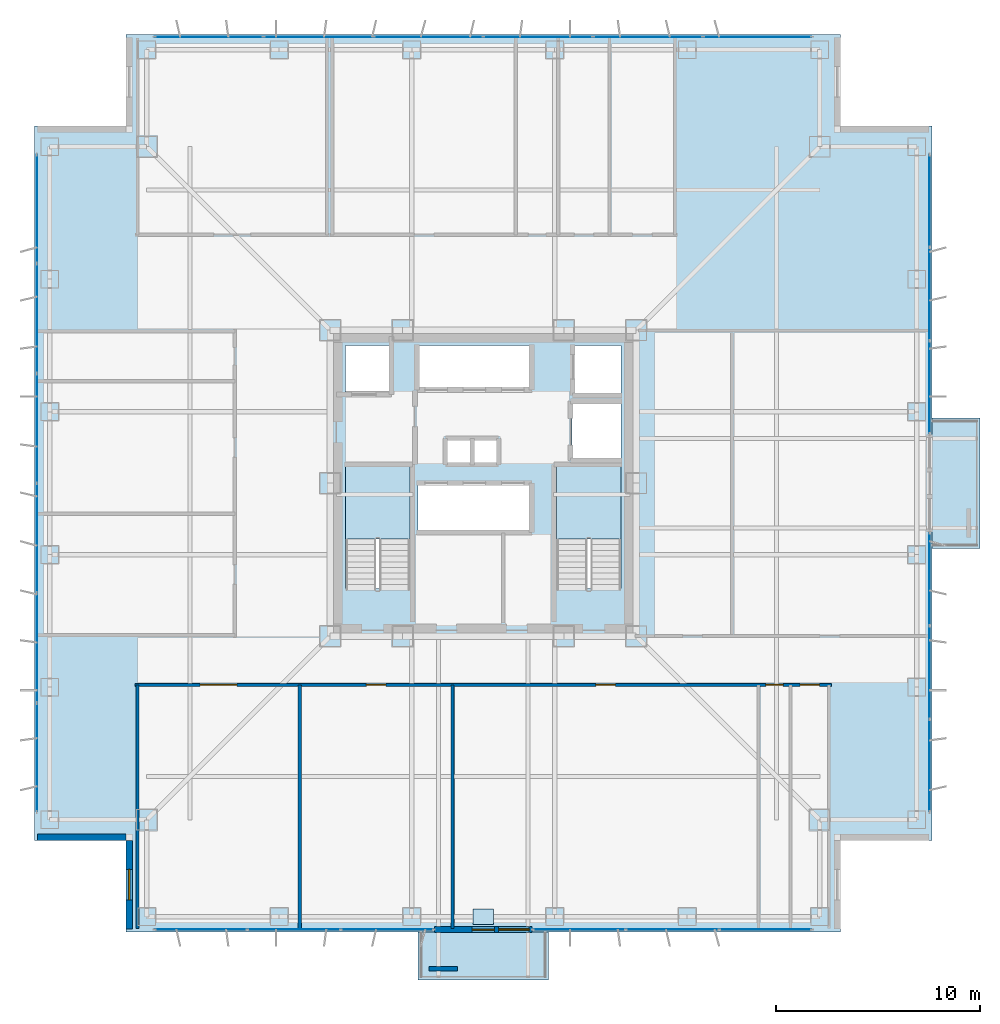
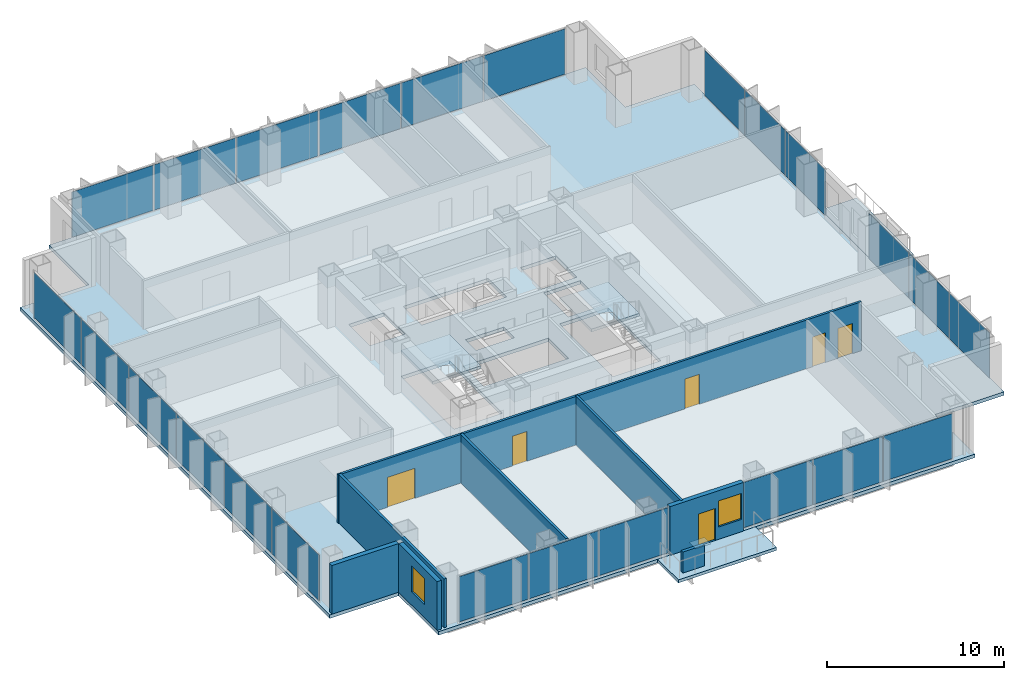
# One storey, part 12 of 18: 25 plates, 8 walls, 6 doors, 5 slabs, 2 windows, 8 openings, 8 elements without a shape of their own.
"""IFC4 building model written with IfcOpenShell, lengths in metres."""

from ifc_helpers import new_model, si_unit, direction, frame, frame_2d, origin, origin_2d, place, context, subcontext, project, spatial, polyline, rectangle, outline, extrude, material, layer, layer_set, type_object, element, fill, aggregate, save


model = new_model("IFC4")

# Units and contexts
model_context = context("Model", 3, precision=1e-05, world=origin(), true_north=direction((0.0, 1.0)))
body_context = subcontext(model_context, "Body", "Model", "MODEL_VIEW")
ifc_project = project(units=[si_unit("LENGTHUNIT", "METRE"), si_unit("AREAUNIT", "SQUARE_METRE"), si_unit("VOLUMEUNIT", "CUBIC_METRE"), si_unit("PLANEANGLEUNIT", "RADIAN"), si_unit("MASSUNIT", "GRAM", prefix="KILO")], contexts=[model_context])

# Site, building, storey
site_placement = place(None, origin())
site = spatial("IfcSite", under=ifc_project, at=site_placement, CompositionType="ELEMENT")
building_placement = place(site_placement, origin())
building = spatial("IfcBuilding", under=site, at=building_placement, Name="Trevonay Congress Spire", CompositionType="ELEMENT")
storey_placement = place(building_placement, frame((0.0, 0.0, 104.800048828125)))
storey = spatial("IfcBuildingStorey", under=building, at=storey_placement, Name="L26", CompositionType="ELEMENT", Elevation=104.800048828125)

# Curtain wall, plates
ifc_material_1 = material(Name="Pale Anodised Aluminium EN AW-6063-T6", Category="aluminium")
ifc_layer_1 = layer(ifc_material_1, 0.175048828125, Name="Pale Anodised Aluminium EN AW-6063-T6")
ifc_layer_set_1 = layer_set([ifc_layer_1], Name="Pale Anodised Aluminium EN AW-6063-T6")
curtain_wall_type = type_object("IfcCurtainWallType", Name="CW-SYS03-CONGRESS-PALE-METAL", PredefinedType="NOTDEFINED", material=ifc_layer_set_1)
curtain_wall_1_placement = place(storey_placement, origin())
curtain_wall_1 = element("IfcCurtainWall", 1, at=curtain_wall_1_placement, inside=storey, type_object=curtain_wall_type, Name="L26 SA unitised curtain wall", PredefinedType="NOTDEFINED")
ifc_material_2 = material(Name="Insulated Low-E Vision Glass IGU", Category="glass")
ifc_layer_2 = layer(ifc_material_2, 0.035888671875, Name="Insulated Low-E Vision Glass IGU")
ifc_layer_set_2 = layer_set([ifc_layer_2], Name="Insulated Low-E Vision Glass IGU")
plate_type_1 = type_object("IfcPlateType", Name="CW-PANEL-IGU36-SILVER", PredefinedType="CURTAIN_PANEL", material=ifc_layer_set_2)
plate_1_placement = place(storey_placement, frame((-13.84326171875, -21.8798828125, 0.119873046875), z_axis=(0.0, 0.0, 1.0), x_axis=(1.0, 0.0, 0.0)))
plate_1 = element("IfcPlate", 2, at=plate_1_placement, type_object=plate_type_1, Name="CW03 panel 1.1", PredefinedType="CURTAIN_PANEL", context=body_context, shape_type="SweptSolid", body=[
    extrude(rectangle(XDim=4.493408203125, YDim=0.035888671875, at=origin_2d()), origin(), (0.0, 0.0, 1.0), 3.1201171875),
])
plate_2_placement = place(storey_placement, frame((-9.27490234375, -21.8798828125, 0.119873046875), z_axis=(0.0, 0.0, 1.0), x_axis=(1.0, 0.0, 0.0)))
plate_2 = element("IfcPlate", 3, at=plate_2_placement, type_object=plate_type_1, Name="CW03 panel 2.1", PredefinedType="CURTAIN_PANEL", context=body_context, shape_type="SweptSolid", body=[
    extrude(rectangle(XDim=4.5234375, YDim=0.035888671875, at=origin_2d()), origin(), (0.0, 0.0, 1.0), 3.1201171875),
])
plate_3_placement = place(storey_placement, frame((-4.706787109375, -21.8798828125, 0.119873046875), z_axis=(0.0, 0.0, 1.0), x_axis=(1.0, 0.0, 0.0)))
plate_3 = element("IfcPlate", 4, at=plate_3_placement, type_object=plate_type_1, Name="CW03 panel 3.1", PredefinedType="CURTAIN_PANEL", context=body_context, shape_type="SweptSolid", body=[
    extrude(rectangle(XDim=4.493408203125, YDim=0.035888671875, at=origin_2d()), origin(), (0.0, 0.0, 1.0), 3.1201171875),
])
aggregate(curtain_wall_1, [plate_1, plate_2, plate_3])

curtain_wall_2_placement = place(storey_placement, origin())
curtain_wall_2 = element("IfcCurtainWall", 5, at=curtain_wall_2_placement, inside=storey, type_object=curtain_wall_type, Name="L26 SB unitised curtain wall", PredefinedType="NOTDEFINED")
plate_4_placement = place(storey_placement, frame((4.706787109375, -21.8798828125, 0.119873046875), z_axis=(0.0, 0.0, 1.0), x_axis=(1.0, 0.0, 0.0)))
plate_4 = element("IfcPlate", 6, at=plate_4_placement, type_object=plate_type_1, Name="CW03 panel 1.1", PredefinedType="CURTAIN_PANEL", context=body_context, shape_type="SweptSolid", body=[
    extrude(rectangle(XDim=4.493408203125, YDim=0.035888671875, at=origin_2d()), origin(), (0.0, 0.0, 1.0), 3.1201171875),
])
plate_5_placement = place(storey_placement, frame((9.27490234375, -21.8798828125, 0.119873046875), z_axis=(0.0, 0.0, 1.0), x_axis=(1.0, 0.0, 0.0)))
plate_5 = element("IfcPlate", 7, at=plate_5_placement, type_object=plate_type_1, Name="CW03 panel 2.1", PredefinedType="CURTAIN_PANEL", context=body_context, shape_type="SweptSolid", body=[
    extrude(rectangle(XDim=4.5234375, YDim=0.035888671875, at=origin_2d()), origin(), (0.0, 0.0, 1.0), 3.1201171875),
])
plate_6_placement = place(storey_placement, frame((13.84326171875, -21.8798828125, 0.119873046875), z_axis=(0.0, 0.0, 1.0), x_axis=(1.0, 0.0, 0.0)))
plate_6 = element("IfcPlate", 8, at=plate_6_placement, type_object=plate_type_1, Name="CW03 panel 3.1", PredefinedType="CURTAIN_PANEL", context=body_context, shape_type="SweptSolid", body=[
    extrude(rectangle(XDim=4.493408203125, YDim=0.035888671875, at=origin_2d()), origin(), (0.0, 0.0, 1.0), 3.1201171875),
])
aggregate(curtain_wall_2, [plate_4, plate_5, plate_6])

curtain_wall_3_placement = place(storey_placement, origin())
curtain_wall_3 = element("IfcCurtainWall", 9, at=curtain_wall_3_placement, inside=storey, type_object=curtain_wall_type, Name="L26 N unitised curtain wall", PredefinedType="NOTDEFINED")
plate_7_placement = place(storey_placement, frame((-13.443359375, 21.8798828125, 0.119873046875), z_axis=(0.0, 0.0, 1.0), x_axis=(1.0, 0.0, 0.0)))
plate_7 = element("IfcPlate", 10, at=plate_7_placement, type_object=plate_type_1, Name="CW03 panel 1.1", PredefinedType="CURTAIN_PANEL", context=body_context, shape_type="SweptSolid", body=[
    extrude(rectangle(XDim=5.293212890625, YDim=0.035888671875, at=origin_2d()), origin(), (0.0, 0.0, 1.0), 3.1201171875),
])
plate_8_placement = place(storey_placement, frame((-8.074951171875, 21.8798828125, 0.119873046875), z_axis=(0.0, 0.0, 1.0), x_axis=(1.0, 0.0, 0.0)))
plate_8 = element("IfcPlate", 11, at=plate_8_placement, type_object=plate_type_1, Name="CW03 panel 2.1", PredefinedType="CURTAIN_PANEL", context=body_context, shape_type="SweptSolid", body=[
    extrude(rectangle(XDim=5.3232421875, YDim=0.035888671875, at=origin_2d()), origin(), (0.0, 0.0, 1.0), 3.1201171875),
])
plate_9_placement = place(storey_placement, frame((-2.691650390625, 21.8798828125, 0.119873046875), z_axis=(0.0, 0.0, 1.0), x_axis=(1.0, 0.0, 0.0)))
plate_9 = element("IfcPlate", 12, at=plate_9_placement, type_object=plate_type_1, Name="CW03 panel 3.1", PredefinedType="CURTAIN_PANEL", context=body_context, shape_type="SweptSolid", body=[
    extrude(rectangle(XDim=5.3232421875, YDim=0.035888671875, at=origin_2d()), origin(), (0.0, 0.0, 1.0), 3.1201171875),
])
plate_10_placement = place(storey_placement, frame((2.691650390625, 21.8798828125, 0.119873046875), z_axis=(0.0, 0.0, 1.0), x_axis=(1.0, 0.0, 0.0)))
plate_10 = element("IfcPlate", 13, at=plate_10_placement, type_object=plate_type_1, Name="CW03 panel 4.1", PredefinedType="CURTAIN_PANEL", context=body_context, shape_type="SweptSolid", body=[
    extrude(rectangle(XDim=5.3232421875, YDim=0.035888671875, at=origin_2d()), origin(), (0.0, 0.0, 1.0), 3.1201171875),
])
plate_11_placement = place(storey_placement, frame((8.074951171875, 21.8798828125, 0.119873046875), z_axis=(0.0, 0.0, 1.0), x_axis=(1.0, 0.0, 0.0)))
plate_11 = element("IfcPlate", 14, at=plate_11_placement, type_object=plate_type_1, Name="CW03 panel 5.1", PredefinedType="CURTAIN_PANEL", context=body_context, shape_type="SweptSolid", body=[
    extrude(rectangle(XDim=5.3232421875, YDim=0.035888671875, at=origin_2d()), origin(), (0.0, 0.0, 1.0), 3.1201171875),
])
plate_12_placement = place(storey_placement, frame((13.443359375, 21.8798828125, 0.119873046875), z_axis=(0.0, 0.0, 1.0), x_axis=(1.0, 0.0, 0.0)))
plate_12 = element("IfcPlate", 15, at=plate_12_placement, type_object=plate_type_1, Name="CW03 panel 6.1", PredefinedType="CURTAIN_PANEL", context=body_context, shape_type="SweptSolid", body=[
    extrude(rectangle(XDim=5.293212890625, YDim=0.035888671875, at=origin_2d()), origin(), (0.0, 0.0, 1.0), 3.1201171875),
])
aggregate(curtain_wall_3, [plate_7, plate_8, plate_9, plate_10, plate_11, plate_12])

curtain_wall_4_placement = place(storey_placement, origin())
curtain_wall_4 = element("IfcCurtainWall", 16, at=curtain_wall_4_placement, inside=storey, type_object=curtain_wall_type, Name="L26 W unitised curtain wall", PredefinedType="NOTDEFINED")
plate_13_placement = place(storey_placement, frame((-21.8798828125, -13.443359375, 0.119873046875), z_axis=(0.0, 0.0, 1.0), x_axis=(0.0, 1.0, 0.0)))
plate_13 = element("IfcPlate", 17, at=plate_13_placement, type_object=plate_type_1, Name="CW03 panel 1.1", PredefinedType="CURTAIN_PANEL", context=body_context, shape_type="SweptSolid", body=[
    extrude(rectangle(XDim=5.293212890625, YDim=0.035888671875, at=origin_2d()), origin(), (0.0, 0.0, 1.0), 3.1201171875),
])
plate_14_placement = place(storey_placement, frame((-21.8798828125, -8.074951171875, 0.119873046875), z_axis=(0.0, 0.0, 1.0), x_axis=(0.0, 1.0, 0.0)))
plate_14 = element("IfcPlate", 18, at=plate_14_placement, type_object=plate_type_1, Name="CW03 panel 2.1", PredefinedType="CURTAIN_PANEL", context=body_context, shape_type="SweptSolid", body=[
    extrude(rectangle(XDim=5.3232421875, YDim=0.035888671875, at=origin_2d()), origin(), (0.0, 0.0, 1.0), 3.1201171875),
])
plate_15_placement = place(storey_placement, frame((-21.8798828125, -2.691650390625, 0.119873046875), z_axis=(0.0, 0.0, 1.0), x_axis=(0.0, 1.0, 0.0)))
plate_15 = element("IfcPlate", 19, at=plate_15_placement, type_object=plate_type_1, Name="CW03 panel 3.1", PredefinedType="CURTAIN_PANEL", context=body_context, shape_type="SweptSolid", body=[
    extrude(rectangle(XDim=5.3232421875, YDim=0.035888671875, at=origin_2d()), origin(), (0.0, 0.0, 1.0), 3.1201171875),
])
plate_16_placement = place(storey_placement, frame((-21.8798828125, 2.691650390625, 0.119873046875), z_axis=(0.0, 0.0, 1.0), x_axis=(0.0, 1.0, 0.0)))
plate_16 = element("IfcPlate", 20, at=plate_16_placement, type_object=plate_type_1, Name="CW03 panel 4.1", PredefinedType="CURTAIN_PANEL", context=body_context, shape_type="SweptSolid", body=[
    extrude(rectangle(XDim=5.3232421875, YDim=0.035888671875, at=origin_2d()), origin(), (0.0, 0.0, 1.0), 3.1201171875),
])
plate_17_placement = place(storey_placement, frame((-21.8798828125, 8.074951171875, 0.119873046875), z_axis=(0.0, 0.0, 1.0), x_axis=(0.0, 1.0, 0.0)))
plate_17 = element("IfcPlate", 21, at=plate_17_placement, type_object=plate_type_1, Name="CW03 panel 5.1", PredefinedType="CURTAIN_PANEL", context=body_context, shape_type="SweptSolid", body=[
    extrude(rectangle(XDim=5.3232421875, YDim=0.035888671875, at=origin_2d()), origin(), (0.0, 0.0, 1.0), 3.1201171875),
])
plate_18_placement = place(storey_placement, frame((-21.8798828125, 13.443359375, 0.119873046875), z_axis=(0.0, 0.0, 1.0), x_axis=(0.0, 1.0, 0.0)))
plate_18 = element("IfcPlate", 22, at=plate_18_placement, type_object=plate_type_1, Name="CW03 panel 6.1", PredefinedType="CURTAIN_PANEL", context=body_context, shape_type="SweptSolid", body=[
    extrude(rectangle(XDim=5.293212890625, YDim=0.035888671875, at=origin_2d()), origin(), (0.0, 0.0, 1.0), 3.1201171875),
])
aggregate(curtain_wall_4, [plate_13, plate_14, plate_15, plate_16, plate_17, plate_18])

curtain_wall_5_placement = place(storey_placement, origin())
curtain_wall_5 = element("IfcCurtainWall", 23, at=curtain_wall_5_placement, inside=storey, type_object=curtain_wall_type, Name="L26 EA unitised curtain wall", PredefinedType="NOTDEFINED")
plate_19_placement = place(storey_placement, frame((21.8798828125, -13.84326171875, 0.119873046875), z_axis=(0.0, 0.0, 1.0), x_axis=(0.0, 1.0, 0.0)))
plate_19 = element("IfcPlate", 24, at=plate_19_placement, type_object=plate_type_1, Name="CW03 panel 1.1", PredefinedType="CURTAIN_PANEL", context=body_context, shape_type="SweptSolid", body=[
    extrude(rectangle(XDim=4.493408203125, YDim=0.035888671875, at=origin_2d()), origin(), (0.0, 0.0, 1.0), 3.1201171875),
])
plate_20_placement = place(storey_placement, frame((21.8798828125, -9.27490234375, 0.119873046875), z_axis=(0.0, 0.0, 1.0), x_axis=(0.0, 1.0, 0.0)))
plate_20 = element("IfcPlate", 25, at=plate_20_placement, type_object=plate_type_1, Name="CW03 panel 2.1", PredefinedType="CURTAIN_PANEL", context=body_context, shape_type="SweptSolid", body=[
    extrude(rectangle(XDim=4.5234375, YDim=0.035888671875, at=origin_2d()), origin(), (0.0, 0.0, 1.0), 3.1201171875),
])
plate_21_placement = place(storey_placement, frame((21.8798828125, -4.706787109375, 0.119873046875), z_axis=(0.0, 0.0, 1.0), x_axis=(0.0, 1.0, 0.0)))
plate_21 = element("IfcPlate", 26, at=plate_21_placement, type_object=plate_type_1, Name="CW03 panel 3.1", PredefinedType="CURTAIN_PANEL", context=body_context, shape_type="SweptSolid", body=[
    extrude(rectangle(XDim=4.493408203125, YDim=0.035888671875, at=origin_2d()), origin(), (0.0, 0.0, 1.0), 3.1201171875),
])
aggregate(curtain_wall_5, [plate_19, plate_20, plate_21])

curtain_wall_6_placement = place(storey_placement, origin())
curtain_wall_6 = element("IfcCurtainWall", 27, at=curtain_wall_6_placement, inside=storey, type_object=curtain_wall_type, Name="L26 EB unitised curtain wall", PredefinedType="NOTDEFINED")
plate_22_placement = place(storey_placement, frame((21.8798828125, 4.706787109375, 0.119873046875), z_axis=(0.0, 0.0, 1.0), x_axis=(0.0, 1.0, 0.0)))
plate_22 = element("IfcPlate", 28, at=plate_22_placement, type_object=plate_type_1, Name="CW03 panel 1.1", PredefinedType="CURTAIN_PANEL", context=body_context, shape_type="SweptSolid", body=[
    extrude(rectangle(XDim=4.493408203125, YDim=0.035888671875, at=origin_2d()), origin(), (0.0, 0.0, 1.0), 3.1201171875),
])
plate_23_placement = place(storey_placement, frame((21.8798828125, 9.27490234375, 0.119873046875), z_axis=(0.0, 0.0, 1.0), x_axis=(0.0, 1.0, 0.0)))
plate_23 = element("IfcPlate", 29, at=plate_23_placement, type_object=plate_type_1, Name="CW03 panel 2.1", PredefinedType="CURTAIN_PANEL", context=body_context, shape_type="SweptSolid", body=[
    extrude(rectangle(XDim=4.5234375, YDim=0.035888671875, at=origin_2d()), origin(), (0.0, 0.0, 1.0), 3.1201171875),
])
plate_24_placement = place(storey_placement, frame((21.8798828125, 13.84326171875, 0.119873046875), z_axis=(0.0, 0.0, 1.0), x_axis=(0.0, 1.0, 0.0)))
plate_24 = element("IfcPlate", 30, at=plate_24_placement, type_object=plate_type_1, Name="CW03 panel 3.1", PredefinedType="CURTAIN_PANEL", context=body_context, shape_type="SweptSolid", body=[
    extrude(rectangle(XDim=4.493408203125, YDim=0.035888671875, at=origin_2d()), origin(), (0.0, 0.0, 1.0), 3.1201171875),
])
aggregate(curtain_wall_6, [plate_22, plate_23, plate_24])

# Plate
ifc_material_3 = material(Name="Steel ASTM A572 Grade 50", Category="steel")
ifc_layer_3 = layer(ifc_material_3, 0.034912109375, Name="Steel ASTM A572 Grade 50")
ifc_layer_set_3 = layer_set([ifc_layer_3], Name="Steel ASTM A572 Grade 50")
plate_type_2 = type_object("IfcPlateType", Name="PLT-GUSSET-EXT-35", PredefinedType="USERDEFINED", material=ifc_layer_set_3)
plate_25_placement = place(storey_placement, frame((0.0, -21.25, -0.4873046875), z_axis=(0.0, 0.0, 1.0), x_axis=(1.0, 0.0, 0.0)))
element("IfcPlate", 31, at=plate_25_placement, inside=storey, type_object=plate_type_2, Name="L26 cantilevered tree-balcony lookout gusset plate CN-01", ObjectType="GUSSET_PLATE", PredefinedType="USERDEFINED", context=body_context, shape_type="SweptSolid", body=[
    extrude(rectangle(XDim=1.0, YDim=0.75, at=origin_2d()), origin(), (0.0, 0.0, 1.0), 0.034912109375),
])

# Stair, slab
ifc_material_4 = material(Name="Concrete C40/50", Category="concrete")
stair_type_1 = type_object("IfcStairType", Name="STR-ST-1", PredefinedType="HALF_TURN_STAIR", material=ifc_material_4)
stair_1_placement = place(storey_placement, origin())
stair_1 = element("IfcStair", 32, at=stair_1_placement, inside=storey, type_object=stair_type_1, Name="L26 Protected Exit Stair ST-1", PredefinedType="HALF_TURN_STAIR")
ifc_layer_4 = layer(ifc_material_4, 0.199951171875, Name="Concrete C40/50")
ifc_layer_set_4 = layer_set([ifc_layer_4], Name="Concrete C40/50")
slab_type_1 = type_object("IfcSlabType", Name="SLB-STAIR-LAND-200", PredefinedType="LANDING", material=ifc_layer_set_4)
slab_1_placement = place(storey_placement, frame((0.0, 0.0, 1.599853515625)))
slab_1 = element("IfcSlab", 33, at=slab_1_placement, type_object=slab_type_1, Name="ST-1 landing 1", PredefinedType="LANDING", context=body_context, shape_type="SweptSolid", body=[
    extrude(outline(polyline([(-3.60009765625, -2.72998046875), (-3.60009765625, 0.85009765625), (-6.75, 0.85009765625), (-6.75, -2.72998046875), (-3.60009765625, -2.72998046875)])), origin(), (0.0, 0.0, 1.0), 0.2001953125),
])
aggregate(stair_1, [slab_1])

stair_type_2 = type_object("IfcStairType", Name="STR-ST-2", PredefinedType="HALF_TURN_STAIR", material=ifc_material_4)
stair_2_placement = place(storey_placement, origin())
stair_2 = element("IfcStair", 34, at=stair_2_placement, inside=storey, type_object=stair_type_2, Name="L26 Protected Exit Stair ST-2", PredefinedType="HALF_TURN_STAIR")
slab_2_placement = place(storey_placement, frame((0.0, 0.0, 1.599853515625)))
slab_2 = element("IfcSlab", 35, at=slab_2_placement, type_object=slab_type_1, Name="ST-2 landing 1", PredefinedType="LANDING", context=body_context, shape_type="SweptSolid", body=[
    extrude(outline(polyline([(6.75, -2.72998046875), (6.75, 0.85009765625), (3.60009765625, 0.85009765625), (3.60009765625, -2.72998046875), (6.75, -2.72998046875)])), origin(), (0.0, 0.0, 1.0), 0.2001953125),
])
aggregate(stair_2, [slab_2])

# Slabs
ifc_layer_5 = layer(ifc_material_4, 0.239990234375, Name="Concrete C40/50")
ifc_layer_set_5 = layer_set([ifc_layer_5], Name="Concrete C40/50")
slab_type_2 = type_object("IfcSlabType", Name="SLB-TOW2-240", PredefinedType="FLOOR", material=ifc_layer_set_5)
slab_3_placement = place(storey_placement, frame((0.0, 0.0, -0.239990234375)))
element("IfcSlab", 36, at=slab_3_placement, inside=storey, type_object=slab_type_2, Name="L26 structural floor slab", PredefinedType="FLOOR", context=body_context, shape_type="SweptSolid", body=[
    extrude(outline(polyline([(-17.5, -22.0), (17.5, -22.0), (17.5, -17.5), (22.0, -17.5), (22.0, 17.5), (17.5, 17.5), (17.5, 22.0), (-17.5, 22.0), (-17.5, 17.5), (-22.0, 17.5), (-22.0, -17.5), (-17.5, -17.5), (-17.5, -22.0)]), holes=[polyline([(-3.60009765625, -5.14990234375), (-3.60009765625, 0.85009765625), (-6.75, 0.85009765625), (-6.75, -5.14990234375), (-3.60009765625, -5.14990234375)]), polyline([(6.75, -5.14990234375), (6.75, 0.85009765625), (3.60009765625, 0.85009765625), (3.60009765625, -5.14990234375), (6.75, -5.14990234375)]), polyline([(-3.199951171875, -2.35009765625), (2.340087890625, -2.35009765625), (2.340087890625, -0.050048828125), (-3.199951171875, -0.050048828125), (-3.199951171875, -2.35009765625)]), polyline([(-3.199951171875, 4.64990234375), (2.340087890625, 4.64990234375), (2.340087890625, 6.75), (-3.199951171875, 6.75), (-3.199951171875, 4.64990234375)]), polyline([(-6.75, 4.35009765625), (-4.449951171875, 4.35009765625), (-4.449951171875, 6.75), (-6.75, 6.75), (-6.75, 4.35009765625)]), polyline([(4.449951171875, 4.35009765625), (6.75, 4.35009765625), (6.75, 6.75), (4.449951171875, 6.75), (4.449951171875, 4.35009765625)]), polyline([(4.35009765625, 1.199951171875), (6.75, 1.199951171875), (6.75, 3.949951171875), (4.35009765625, 3.949951171875), (4.35009765625, 1.199951171875)]), polyline([(-1.800048828125, 0.949951171875), (0.699951171875, 0.949951171875), (0.699951171875, 2.14990234375), (-1.800048828125, 2.14990234375), (-1.800048828125, 0.949951171875)])]), origin(), (0.0, 0.0, 1.0), 0.239990234375),
])
ifc_layer_6 = layer(ifc_material_4, 0.2099609375, Name="Concrete C40/50")
ifc_layer_set_6 = layer_set([ifc_layer_6], Name="Concrete C40/50")
slab_type_3 = type_object("IfcSlabType", Name="SLB-TREEBAL-210", PredefinedType="FLOOR", material=ifc_layer_set_6)
slab_4_placement = place(storey_placement, frame((0.0, 0.0, -0.2099609375)))
element("IfcSlab", 37, at=slab_4_placement, inside=storey, type_object=slab_type_3, Name="L26 cantilevered tree-planter balcony pod S", PredefinedType="FLOOR", context=body_context, shape_type="SweptSolid", body=[
    extrude(outline(polyline([(-3.199951171875, -24.35009765625), (3.199951171875, -24.35009765625), (3.199951171875, -22.0), (-3.199951171875, -22.0), (-3.199951171875, -24.35009765625)])), origin(), (0.0, 0.0, 1.0), 0.2099609375),
])
slab_5_placement = place(storey_placement, frame((0.0, 0.0, -0.2099609375)))
element("IfcSlab", 38, at=slab_5_placement, inside=storey, type_object=slab_type_3, Name="L26 cantilevered tree-planter balcony pod E", PredefinedType="FLOOR", context=body_context, shape_type="SweptSolid", body=[
    extrude(outline(polyline([(22.0, -3.199951171875), (24.35009765625, -3.199951171875), (24.35009765625, 3.199951171875), (22.0, 3.199951171875), (22.0, -3.199951171875)])), origin(), (0.0, 0.0, 1.0), 0.2099609375),
])

# Wall, openings, doors
ifc_layer_7 = layer(ifc_material_4, 0.14990234375, Name="Concrete C40/50")
ifc_layer_set_7 = layer_set([ifc_layer_7], Name="Concrete C40/50")
wall_type_1 = type_object("IfcWallType", Name="WAL-CORR-150", PredefinedType="PARTITIONING", material=ifc_layer_set_7)
wall_1_placement = place(storey_placement, frame((-17.070068359375, -9.8798828125, 0.0), z_axis=(0.0, 0.0, 1.0), x_axis=(1.0, 0.0, 0.0)))
wall_1 = element("IfcWall", 39, at=wall_1_placement, inside=storey, type_object=wall_type_1, Name="L26 interior wall WP-L26S-COR", PredefinedType="PARTITIONING", context=body_context, shape_type="SweptSolid", body=[
    extrude(rectangle(XDim=34.14013671875, YDim=0.14990234375, at=frame_2d((17.070068359375, 0.0))), origin(), (0.0, 0.0, 1.0), 3.35986328125),
])
opening_1_placement = place(wall_1_placement, frame((3.195068359375, 0.0, 0.0)))
opening_1 = element("IfcOpeningElement", 40, at=opening_1_placement, cuts=wall_1, Name="Opening D09", PredefinedType="OPENING", context=body_context, shape_type="SweptSolid", body=[
    extrude(rectangle(XDim=1.800048828125, YDim=2.080078125, at=frame_2d((0.89990234375, 1.0400390625))), frame((0.0, 0.0849609375, 0.0), z_axis=(0.0, -1.0, 0.0), x_axis=(1.0, 0.0, 0.0)), (0.0, 0.0, 1.0), 0.169921875),
])
opening_2_placement = place(wall_1_placement, frame((11.344970703125, 0.0, 0.0)))
opening_2 = element("IfcOpeningElement", 41, at=opening_2_placement, cuts=wall_1, Name="Opening D07", PredefinedType="OPENING", context=body_context, shape_type="SweptSolid", body=[
    extrude(rectangle(XDim=0.949951171875, YDim=2.06005859375, at=frame_2d((0.47509765625, 1.030029296875))), frame((0.0, 0.0849609375, 0.0), z_axis=(0.0, -1.0, 0.0), x_axis=(1.0, 0.0, 0.0)), (0.0, 0.0, 1.0), 0.169921875),
])
opening_3_placement = place(wall_1_placement, frame((22.594970703125, 0.0, 0.0)))
opening_3 = element("IfcOpeningElement", 42, at=opening_3_placement, cuts=wall_1, Name="Opening D07", PredefinedType="OPENING", context=body_context, shape_type="SweptSolid", body=[
    extrude(rectangle(XDim=0.949951171875, YDim=2.06005859375, at=frame_2d((0.47509765625, 1.030029296875))), frame((0.0, 0.0849609375, 0.0), z_axis=(0.0, -1.0, 0.0), x_axis=(1.0, 0.0, 0.0)), (0.0, 0.0, 1.0), 0.169921875),
])
opening_4_placement = place(wall_1_placement, frame((30.925048828125, 0.0, 0.0)))
opening_4 = element("IfcOpeningElement", 43, at=opening_4_placement, cuts=wall_1, Name="Opening D10", PredefinedType="OPENING", context=body_context, shape_type="SweptSolid", body=[
    extrude(rectangle(XDim=0.85009765625, YDim=2.050048828125, at=frame_2d((0.425048828125, 1.02490234375))), frame((0.0, 0.0849609375, 0.0), z_axis=(0.0, -1.0, 0.0), x_axis=(1.0, 0.0, 0.0)), (0.0, 0.0, 1.0), 0.169921875),
])
opening_5_placement = place(wall_1_placement, frame((32.60009765625, 0.0, 0.0)))
opening_5 = element("IfcOpeningElement", 44, at=opening_5_placement, cuts=wall_1, Name="Opening D07", PredefinedType="OPENING", context=body_context, shape_type="SweptSolid", body=[
    extrude(rectangle(XDim=0.949951171875, YDim=2.06005859375, at=frame_2d((0.47509765625, 1.030029296875))), frame((0.0, 0.0849609375, 0.0), z_axis=(0.0, -1.0, 0.0), x_axis=(1.0, 0.0, 0.0)), (0.0, 0.0, 1.0), 0.169921875),
])
door_type_1 = type_object("IfcDoorType", Name="DOR-CONF-DBL", OperationType="DOUBLE_DOOR_SINGLE_SWING", PredefinedType="DOOR", material=ifc_material_1)
door_1_placement = place(opening_1_placement, origin())
door_1 = element("IfcDoor", 45, at=door_1_placement, inside=storey, type_object=door_type_1, Name="L26 Commission Hearing Chamber A Door", OperationType="DOUBLE_DOOR_SINGLE_SWING", OverallHeight=2.080078125, OverallWidth=1.800048828125, PredefinedType="DOOR", context=body_context, shape_type="SweptSolid", body=[
    extrude(rectangle(XDim=1.800048828125, YDim=2.080078125, at=frame_2d((0.89990234375, 1.0400390625))), frame((0.0, 0.02490234375, 0.0), z_axis=(0.0, -1.0, 0.0), x_axis=(1.0, 0.0, 0.0)), (0.0, 0.0, 1.0), 0.050048828125),
])
fill(opening_1, door_1)
door_type_2 = type_object("IfcDoorType", Name="DOR-OFFICE-95", OperationType="NOTDEFINED", PredefinedType="DOOR", material=ifc_material_1)
door_2_placement = place(opening_2_placement, origin())
door_2 = element("IfcDoor", 46, at=door_2_placement, inside=storey, type_object=door_type_2, Name="L26 Commission Hearing Chamber B Door", OperationType="SINGLE_SWING_RIGHT", OverallHeight=2.06005859375, OverallWidth=0.949951171875, PredefinedType="DOOR", context=body_context, shape_type="SweptSolid", body=[
    extrude(rectangle(XDim=0.949951171875, YDim=2.06005859375, at=frame_2d((0.47509765625, 1.030029296875))), frame((0.0, 0.02490234375, 0.0), z_axis=(0.0, -1.0, 0.0), x_axis=(1.0, 0.0, 0.0)), (0.0, 0.0, 1.0), 0.050048828125),
])
fill(opening_2, door_2)
door_3_placement = place(opening_3_placement, origin())
door_3 = element("IfcDoor", 47, at=door_3_placement, inside=storey, type_object=door_type_2, Name="L26 Simultaneous Interpretation Hub Door", OperationType="SINGLE_SWING_LEFT", OverallHeight=2.06005859375, OverallWidth=0.949951171875, PredefinedType="DOOR", context=body_context, shape_type="SweptSolid", body=[
    extrude(rectangle(XDim=0.949951171875, YDim=2.06005859375, at=frame_2d((0.47509765625, 1.030029296875))), frame((0.0, 0.02490234375, 0.0), z_axis=(0.0, -1.0, 0.0), x_axis=(1.0, 0.0, 0.0)), (0.0, 0.0, 1.0), 0.050048828125),
])
fill(opening_3, door_3)
door_4_placement = place(opening_5_placement, origin())
door_4 = element("IfcDoor", 48, at=door_4_placement, inside=storey, type_object=door_type_2, Name="L26 Floor Supplies and Copy Room Door", OperationType="SINGLE_SWING_LEFT", OverallHeight=2.06005859375, OverallWidth=0.949951171875, PredefinedType="DOOR", context=body_context, shape_type="SweptSolid", body=[
    extrude(rectangle(XDim=0.949951171875, YDim=2.06005859375, at=frame_2d((0.47509765625, 1.030029296875))), frame((0.0, 0.02490234375, 0.0), z_axis=(0.0, -1.0, 0.0), x_axis=(1.0, 0.0, 0.0)), (0.0, 0.0, 1.0), 0.050048828125),
])
fill(opening_5, door_4)
door_type_3 = type_object("IfcDoorType", Name="DOR-WC-85", OperationType="NOTDEFINED", PredefinedType="DOOR", material=ifc_material_1)
door_5_placement = place(opening_4_placement, origin())
door_5 = element("IfcDoor", 49, at=door_5_placement, inside=storey, type_object=door_type_3, Name="L26 Accessible WC Door", OperationType="SINGLE_SWING_RIGHT", OverallHeight=2.050048828125, OverallWidth=0.85009765625, PredefinedType="DOOR", context=body_context, shape_type="SweptSolid", body=[
    extrude(rectangle(XDim=0.85009765625, YDim=2.050048828125, at=frame_2d((0.425048828125, 1.02490234375))), frame((0.0, 0.02490234375, 0.0), z_axis=(0.0, -1.0, 0.0), x_axis=(1.0, 0.0, 0.0)), (0.0, 0.0, 1.0), 0.050048828125),
])
fill(opening_4, door_5)

# Wall, openings, door, window
ifc_material_5 = material(Name="Precast concrete C40/50", Category="concrete")
ifc_layer_8 = layer(ifc_material_5, 0.300048828125, Name="Precast concrete C40/50")
ifc_layer_set_8 = layer_set([ifc_layer_8], Name="Precast concrete C40/50")
wall_type_2 = type_object("IfcWallType", Name="WAL-EXT-PRECAST-300", PredefinedType="SOLIDWALL", material=ifc_layer_set_8)
wall_2_placement = place(storey_placement, frame((-2.39990234375, -21.8798828125, 0.0), z_axis=(0.0, 0.0, 1.0), x_axis=(1.0, 0.0, 0.0)))
wall_2 = element("IfcWall", 50, at=wall_2_placement, inside=storey, type_object=wall_type_2, Name="L26 S glazed balcony portal exterior wall", PredefinedType="SOLIDWALL", context=body_context, shape_type="SweptSolid", body=[
    extrude(rectangle(XDim=4.7998046875, YDim=0.300048828125, at=frame_2d((2.39990234375, 0.0))), origin(), (0.0, 0.0, 1.0), 3.35986328125),
])
opening_6_placement = place(wall_2_placement, frame((1.85009765625, 0.0, 0.0)))
opening_6 = element("IfcOpeningElement", 51, at=opening_6_placement, cuts=wall_2, Name="Opening D03", PredefinedType="OPENING", context=body_context, shape_type="SweptSolid", body=[
    extrude(rectangle(XDim=1.10009765625, YDim=2.199951171875, at=frame_2d((0.550048828125, 1.10009765625))), frame((0.0, 0.16015625, 0.0), z_axis=(0.0, -1.0, 0.0), x_axis=(1.0, 0.0, 0.0)), (0.0, 0.0, 1.0), 0.320068359375),
])
opening_7_placement = place(wall_2_placement, frame((3.14990234375, 0.0, 0.85009765625)))
opening_7 = element("IfcOpeningElement", 52, at=opening_7_placement, cuts=wall_2, Name="Opening WN03", PredefinedType="OPENING", context=body_context, shape_type="SweptSolid", body=[
    extrude(rectangle(XDim=1.5, YDim=1.800048828125, at=frame_2d((0.75, 0.89990234375))), frame((0.0, 0.16015625, 0.0), z_axis=(0.0, -1.0, 0.0), x_axis=(1.0, 0.0, 0.0)), (0.0, 0.0, 1.0), 0.320068359375),
])
door_type_4 = type_object("IfcDoorType", Name="DOR-EXT-BAL-110", OperationType="NOTDEFINED", PredefinedType="DOOR", material=ifc_material_1)
door_6_placement = place(opening_6_placement, origin())
door_6 = element("IfcDoor", 53, at=door_6_placement, inside=storey, type_object=door_type_4, Name="L26 S glazed outdoor terrace and balcony door", OperationType="SINGLE_SWING_LEFT", OverallHeight=2.199951171875, OverallWidth=1.10009765625, PredefinedType="DOOR", context=body_context, shape_type="SweptSolid", body=[
    extrude(rectangle(XDim=1.10009765625, YDim=2.199951171875, at=frame_2d((0.550048828125, 1.10009765625))), frame((0.0, 0.02490234375, 0.0), z_axis=(0.0, -1.0, 0.0), x_axis=(1.0, 0.0, 0.0)), (0.0, 0.0, 1.0), 0.050048828125),
])
fill(opening_6, door_6)
window_type = type_object("IfcWindowType", Name="WIN-NOTCH-150X180", PartitioningType="SINGLE_PANEL", PredefinedType="WINDOW", material=ifc_material_2)
window_1_placement = place(opening_7_placement, origin())
window_1 = element("IfcWindow", 54, at=window_1_placement, inside=storey, type_object=window_type, Name="L26 S balcony sidelight window R", OverallHeight=1.800048828125, OverallWidth=1.5, PartitioningType="SINGLE_PANEL", PredefinedType="WINDOW", context=body_context, shape_type="SweptSolid", body=[
    extrude(rectangle(XDim=1.5, YDim=1.800048828125, at=frame_2d((0.75, 0.89990234375))), frame((0.0, 0.030029296875, 0.0), z_axis=(0.0, -1.0, 0.0), x_axis=(1.0, 0.0, 0.0)), (0.0, 0.0, 1.0), 0.06005859375),
])
fill(opening_7, window_1)

# Wall, opening, window
wall_3_placement = place(storey_placement, frame((-17.35009765625, -21.85009765625, 0.0), z_axis=(0.0, 0.0, 1.0), x_axis=(0.0, 1.0, 0.0)))
wall_3 = element("IfcWall", 55, at=wall_3_placement, inside=storey, type_object=wall_type_2, Name="L26 SW re-entrant notch exterior wall 1", PredefinedType="SOLIDWALL", context=body_context, shape_type="SweptSolid", body=[
    extrude(rectangle(XDim=4.35009765625, YDim=0.300048828125, at=frame_2d((2.175048828125, 0.0))), origin(), (0.0, 0.0, 1.0), 3.35986328125),
])
opening_8_placement = place(wall_3_placement, frame((1.425048828125, 0.0, 0.89990234375)))
opening_8 = element("IfcOpeningElement", 56, at=opening_8_placement, cuts=wall_3, Name="Opening WN03", PredefinedType="OPENING", context=body_context, shape_type="SweptSolid", body=[
    extrude(rectangle(XDim=1.5, YDim=1.800048828125, at=frame_2d((0.75, 0.89990234375))), frame((0.0, 0.16015625, 0.0), z_axis=(0.0, -1.0, 0.0), x_axis=(1.0, 0.0, 0.0)), (0.0, 0.0, 1.0), 0.320068359375),
])
window_2_placement = place(opening_8_placement, origin())
window_2 = element("IfcWindow", 57, at=window_2_placement, inside=storey, type_object=window_type, Name="L26 SW corner notch window", OverallHeight=1.800048828125, OverallWidth=1.5, PartitioningType="SINGLE_PANEL", PredefinedType="WINDOW", context=body_context, shape_type="SweptSolid", body=[
    extrude(rectangle(XDim=1.5, YDim=1.800048828125, at=frame_2d((0.75, 0.89990234375))), frame((0.0, 0.030029296875, 0.0), z_axis=(0.0, -1.0, 0.0), x_axis=(1.0, 0.0, 0.0)), (0.0, 0.0, 1.0), 0.06005859375),
])
fill(opening_8, window_2)

# Walls
wall_4_placement = place(storey_placement, frame((-21.85009765625, -17.35009765625, 0.0), z_axis=(0.0, 0.0, 1.0), x_axis=(1.0, 0.0, 0.0)))
element("IfcWall", 58, at=wall_4_placement, inside=storey, type_object=wall_type_2, Name="L26 SW re-entrant notch exterior wall 2", PredefinedType="SOLIDWALL", context=body_context, shape_type="SweptSolid", body=[
    extrude(rectangle(XDim=4.35009765625, YDim=0.300048828125, at=frame_2d((2.175048828125, 0.0))), origin(), (0.0, 0.0, 1.0), 3.35986328125),
])
ifc_layer_9 = layer(ifc_material_4, 0.14990234375, Name="Concrete C40/50")
ifc_layer_set_9 = layer_set([ifc_layer_9], Name="Concrete C40/50")
wall_type_3 = type_object("IfcWallType", Name="WAL-PART-150", PredefinedType="PARTITIONING", material=ifc_layer_set_9)
wall_5_placement = place(storey_placement, frame((-1.5, -21.820068359375, 0.0), z_axis=(0.0, 0.0, 1.0), x_axis=(0.0, 1.0, 0.0)))
element("IfcWall", 59, at=wall_5_placement, inside=storey, type_object=wall_type_3, Name="L26 interior wall WP-L26S-DIV3", PredefinedType="PARTITIONING", context=body_context, shape_type="SweptSolid", body=[
    extrude(rectangle(XDim=11.940185546875, YDim=0.14990234375, at=frame_2d((5.97021484375, 0.0))), origin(), (0.0, 0.0, 1.0), 3.35986328125),
])
ifc_layer_10 = layer(ifc_material_5, 0.199951171875, Name="Precast concrete C40/50")
ifc_layer_set_10 = layer_set([ifc_layer_10], Name="Precast concrete C40/50")
wall_type_4 = type_object("IfcWallType", Name="WAL-TREE-PLANTER-200", PredefinedType="PARAPET", material=ifc_layer_set_10)
wall_6_placement = place(storey_placement, frame((-2.64990234375, -23.800048828125, 0.0), z_axis=(0.0, 0.0, 1.0), x_axis=(1.0, 0.0, 0.0)))
element("IfcWall", 60, at=wall_6_placement, inside=storey, type_object=wall_type_4, Name="L26 S cantilevered balcony tree planter box", PredefinedType="PARAPET", context=body_context, shape_type="SweptSolid", body=[
    extrude(rectangle(XDim=1.39990234375, YDim=0.199951171875, at=frame_2d((0.699951171875, 0.0))), origin(), (0.0, 0.0, 1.0), 1.449951171875),
])
ifc_layer_11 = layer(ifc_material_4, 0.1650390625, Name="Concrete C40/50")
ifc_layer_set_11 = layer_set([ifc_layer_11], Name="Concrete C40/50")
wall_type_5 = type_object("IfcWallType", Name="WAL-WET-165", PredefinedType="PLUMBINGWALL", material=ifc_layer_set_11)
for number, where, z_axis, x_axis, name in (
    (61, (-16.949951171875, -21.820068359375, 0.0), (0.0, 0.0, 1.0), (0.0, 1.0, 0.0), "L26 interior wall WP-L26S-DIV1"),
    (62, (-9.0, -21.820068359375, 0.0), (0.0, 0.0, 1.0), (0.0, 1.0, 0.0), "L26 interior wall WP-L26S-DIV2"),
):
    element("IfcWall", number, at=place(storey_placement, frame(where, z_axis=z_axis, x_axis=x_axis)), inside=storey, type_object=wall_type_5, Name=name, PredefinedType="PLUMBINGWALL", context=body_context, shape_type="SweptSolid", body=[
        extrude(rectangle(XDim=11.940185546875, YDim=0.1650390625, at=frame_2d((5.97021484375, 0.0))), origin(), (0.0, 0.0, 1.0), 3.35986328125),
    ])

save(model, "model.ifc")
